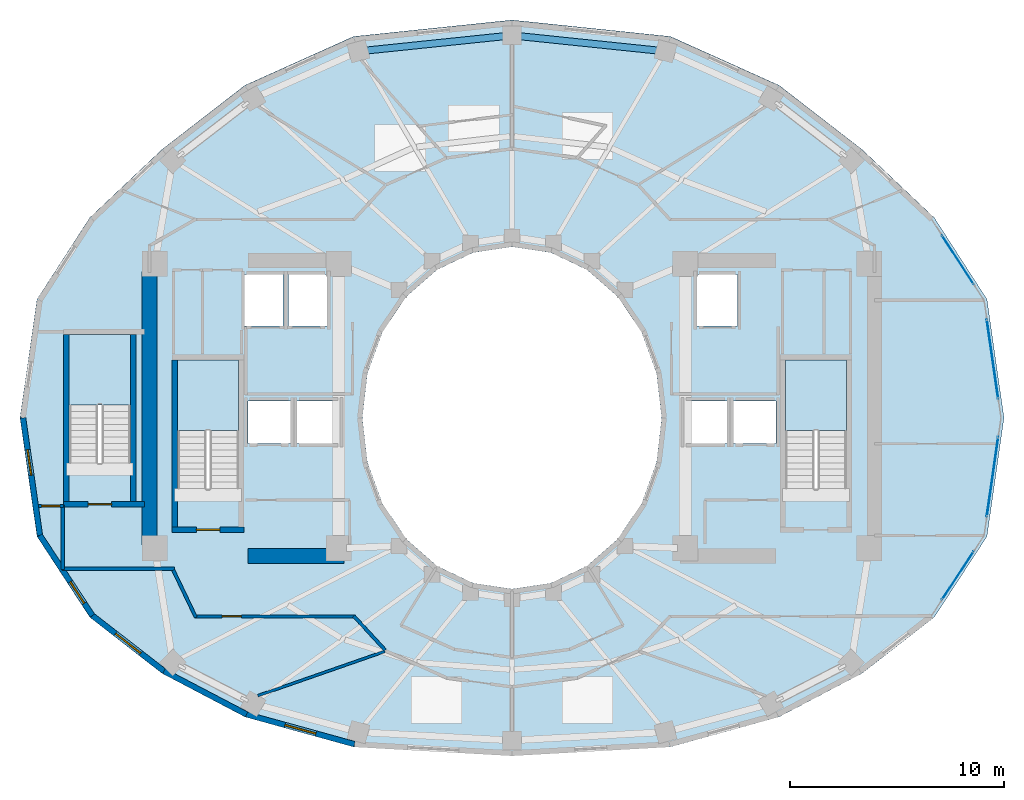
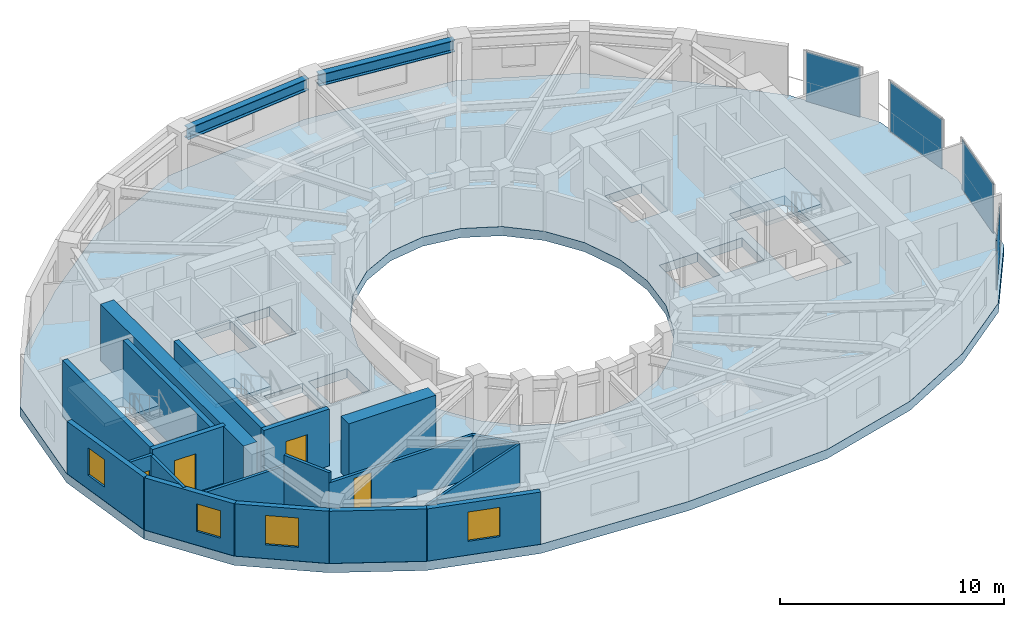
# One storey, part 5 of 13: 19 walls, 4 doors, 4 plates, 4 slabs, 4 windows, 2 beams, 8 openings, 7 elements without a shape of their own.
"""IFC4 building model written with IfcOpenShell, lengths in metres."""

from ifc_helpers import new_model, si_unit, direction, frame, frame_2d, origin, origin_2d, place, context, subcontext, project, spatial, polyline, rectangle, i_section, outline, extrude, material, layer, layer_set, material_profile, profile_set, type_object, element, fill, aggregate, save


model = new_model("IFC4")

# Units and contexts
model_context = context("Model", 3, precision=1e-05, world=origin(), true_north=direction((0.0, 1.0)))
body_context = subcontext(model_context, "Body", "Model", "MODEL_VIEW")
ifc_project = project(units=[si_unit("LENGTHUNIT", "METRE"), si_unit("AREAUNIT", "SQUARE_METRE"), si_unit("VOLUMEUNIT", "CUBIC_METRE"), si_unit("PLANEANGLEUNIT", "RADIAN"), si_unit("MASSUNIT", "GRAM", prefix="KILO")], contexts=[model_context])

# Site, building, storey
site_placement = place(None, origin())
site = spatial("IfcSite", under=ifc_project, at=site_placement, CompositionType="ELEMENT")
building_placement = place(site_placement, origin())
building = spatial("IfcBuilding", under=site, at=building_placement, Name="Solvane Sanctuary Tower", CompositionType="ELEMENT")
storey_placement = place(building_placement, frame((0.0, 0.0, 152.89990234375)))
storey = spatial("IfcBuildingStorey", under=building, at=storey_placement, Name="L46", CompositionType="ELEMENT", Elevation=152.89990234375)

# Beams
ifc_material_1 = material(Name="Steel ASTM A992 Grade 50", Category="steel")
ifc_material_profile = material_profile(ifc_material_1, i_section(OverallWidth=0.327880859375, OverallDepth=0.6279296875, WebThickness=0.0166015625, FlangeThickness=0.027587890625, FilletRadius=0.01611328125, at=origin_2d()), Name="W24X146")
ifc_profile_set = profile_set([ifc_material_profile], Name="Steel ASTM A992 Grade 50")
beam_type = type_object("IfcBeamType", Name="Beam B-SPAND-Z3 W24X146", PredefinedType="SPANDREL", material=ifc_profile_set)
for number, where, z_axis, x_axis, name in (
    (1, (25.10009765625, 40.16357421875, 2.564208984375), (0.994652761118, 0.103275770632, 0.0), (-0.103275770632, 0.994652761118, 0.0), "L46 Perimeter Spandrel Beam TC05-TC04"),
    (2, (32.278564453125, 40.85107421875, 2.564208984375), (0.994652761118, -0.103275770632, 0.0), (0.103275770632, 0.994652761118, 0.0), "L46 Perimeter Spandrel Beam TC04-TC03"),
):
    element("IfcBeam", number, at=place(storey_placement, frame(where, z_axis=z_axis, x_axis=x_axis)), inside=storey, type_object=beam_type, Name=name, PredefinedType="SPANDREL", context=body_context, shape_type="SweptSolid", body=[
        extrude(i_section(OverallWidth=0.327880859375, OverallDepth=0.6279296875, WebThickness=0.0166015625, FlangeThickness=0.027587890625, FilletRadius=0.01611328125, at=origin_2d()), origin(), (0.0, 0.0, 1.0), 6.656982421875),
    ])

# Curtain wall, plate
ifc_material_2 = material(Name="Anodised Aluminium 6063-T6", Category="aluminium")
ifc_layer_1 = layer(ifc_material_2, 0.2099609375, Name="Anodised Aluminium 6063-T6")
ifc_layer_set_1 = layer_set([ifc_layer_1], Name="Anodised Aluminium 6063-T6")
curtain_wall_type = type_object("IfcCurtainWallType", Name="Curtain Wall CW-PORTAL", PredefinedType="NOTDEFINED", material=ifc_layer_set_1)
curtain_wall_1_placement = place(storey_placement, origin())
curtain_wall_1 = element("IfcCurtainWall", 3, at=curtain_wall_1_placement, inside=storey, type_object=curtain_wall_type, Name="L46 CW-PORTAL Facade Run 00", PredefinedType="NOTDEFINED")
ifc_material_3 = material(Name="Dark Ceramic-Fritted Low-E Glass", Category="glass")
ifc_layer_2 = layer(ifc_material_3, 0.031982421875, Name="Dark Ceramic-Fritted Low-E Glass")
ifc_layer_set_2 = layer_set([ifc_layer_2], Name="Dark Ceramic-Fritted Low-E Glass")
plate_type = type_object("IfcPlateType", Name="Plate PN-FRIT-VIS", PredefinedType="CURTAIN_PANEL", material=ifc_layer_set_2)
plate_1_placement = place(storey_placement, frame((54.465087890625, 25.748291015625, 0.065185546875), z_axis=(0.0, 0.0, 1.0), x_axis=(-0.142247806053, 0.989831077342, 0.0)))
plate_1 = element("IfcPlate", 4, at=plate_1_placement, type_object=plate_type, Name="CW-PORTAL panel 1.1", PredefinedType="CURTAIN_PANEL", context=body_context, shape_type="SweptSolid", body=[
    extrude(rectangle(XDim=3.762939453125, YDim=0.031982421875, at=origin_2d()), origin(), (0.0, 0.0, 1.0), 2.7099609375),
])
aggregate(curtain_wall_1, [plate_1])

curtain_wall_2_placement = place(storey_placement, origin())
curtain_wall_2 = element("IfcCurtainWall", 5, at=curtain_wall_2_placement, inside=storey, type_object=curtain_wall_type, Name="L46 CW-PORTAL Facade Run 01", PredefinedType="NOTDEFINED")
plate_2_placement = place(storey_placement, frame((52.8447265625, 30.39013671875, 0.065185546875), z_axis=(0.0, 0.0, 1.0), x_axis=(-0.543340806728, 0.839512220128, 0.0)))
plate_2 = element("IfcPlate", 6, at=plate_2_placement, type_object=plate_type, Name="CW-PORTAL panel 1.1", PredefinedType="CURTAIN_PANEL", context=body_context, shape_type="SweptSolid", body=[
    extrude(rectangle(XDim=2.72119140625, YDim=0.031982421875, at=origin_2d()), origin(), (0.0, 0.0, 1.0), 2.7099609375),
])
aggregate(curtain_wall_2, [plate_2])

curtain_wall_3_placement = place(storey_placement, origin())
curtain_wall_3 = element("IfcCurtainWall", 7, at=curtain_wall_3_placement, inside=storey, type_object=curtain_wall_type, Name="L46 CW-PORTAL Facade Run 22", PredefinedType="NOTDEFINED")
plate_3_placement = place(storey_placement, frame((52.8447265625, 15.630126953125, 0.065185546875), z_axis=(0.0, 0.0, 1.0), x_axis=(0.547432614507, 0.836849767027, 0.0)))
plate_3 = element("IfcPlate", 8, at=plate_3_placement, type_object=plate_type, Name="CW-PORTAL panel 1.1", PredefinedType="CURTAIN_PANEL", context=body_context, shape_type="SweptSolid", body=[
    extrude(rectangle(XDim=2.6875, YDim=0.031982421875, at=origin_2d()), origin(), (0.0, 0.0, 1.0), 2.7099609375),
])
aggregate(curtain_wall_3, [plate_3])

curtain_wall_4_placement = place(storey_placement, origin())
curtain_wall_4 = element("IfcCurtainWall", 9, at=curtain_wall_4_placement, inside=storey, type_object=curtain_wall_type, Name="L46 CW-PORTAL Facade Run 23", PredefinedType="NOTDEFINED")
plate_4_placement = place(storey_placement, frame((54.465087890625, 20.251708984375, 0.065185546875), z_axis=(0.0, 0.0, 1.0), x_axis=(0.142247806053, 0.989831077342, 0.0)))
plate_4 = element("IfcPlate", 10, at=plate_4_placement, type_object=plate_type, Name="CW-PORTAL panel 1.1", PredefinedType="CURTAIN_PANEL", context=body_context, shape_type="SweptSolid", body=[
    extrude(rectangle(XDim=3.762939453125, YDim=0.031982421875, at=origin_2d()), origin(), (0.0, 0.0, 1.0), 2.7099609375),
])
aggregate(curtain_wall_4, [plate_4])

# Stair, slab
ifc_material_4 = material(Name="Concrete C45/55", Category="concrete")
stair_type = type_object("IfcStairType", Name="Stair ST-TOW", PredefinedType="HALF_TURN_STAIR", material=ifc_material_4)
stair_1_placement = place(storey_placement, origin())
stair_1 = element("IfcStair", 11, at=stair_1_placement, inside=storey, type_object=stair_type, Name="L46 Exit Stair ST-1 West Core", PredefinedType="HALF_TURN_STAIR")
ifc_layer_3 = layer(ifc_material_4, 0.199951171875, Name="Concrete C45/55")
ifc_layer_set_3 = layer_set([ifc_layer_3], Name="Concrete C45/55")
slab_type_1 = type_object("IfcSlabType", Name="Slab SL-LAND-180", PredefinedType="LANDING", material=ifc_layer_set_3)
slab_1_placement = place(storey_placement, frame((0.0, 0.0, 1.35009765625)))
slab_1 = element("IfcSlab", 12, at=slab_1_placement, type_object=slab_type_1, Name="ST-1 landing 1", PredefinedType="LANDING", context=body_context, shape_type="SweptSolid", body=[
    extrude(outline(polyline([(19.219970703125, 22.39990234375), (19.219970703125, 25.699951171875), (16.360107421875, 25.699951171875), (16.360107421875, 22.39990234375), (19.219970703125, 22.39990234375)])), origin(), (0.0, 0.0, 1.0), 0.199951171875),
])
aggregate(stair_1, [slab_1])

stair_2_placement = place(storey_placement, origin())
stair_2 = element("IfcStair", 13, at=stair_2_placement, inside=storey, type_object=stair_type, Name="L46 Exit Stair ST-2 East Core", PredefinedType="HALF_TURN_STAIR")
slab_2_placement = place(storey_placement, frame((0.0, 0.0, 1.35009765625)))
slab_2 = element("IfcSlab", 14, at=slab_2_placement, type_object=slab_type_1, Name="ST-2 landing 1", PredefinedType="LANDING", context=body_context, shape_type="SweptSolid", body=[
    extrude(outline(polyline([(47.639892578125, 22.39990234375), (47.639892578125, 25.699951171875), (44.780029296875, 25.699951171875), (44.780029296875, 22.39990234375), (47.639892578125, 22.39990234375)])), origin(), (0.0, 0.0, 1.0), 0.199951171875),
])
aggregate(stair_2, [slab_2])

stair_3_placement = place(storey_placement, origin())
stair_3 = element("IfcStair", 15, at=stair_3_placement, inside=storey, type_object=stair_type, Name="L46 Exit Stair ST-3 Pilgrim Tower Stair", PredefinedType="HALF_TURN_STAIR")
slab_3_placement = place(storey_placement, frame((0.0, 0.0, 1.35009765625)))
slab_3 = element("IfcSlab", 16, at=slab_3_placement, type_object=slab_type_1, Name="ST-3 landing 1", PredefinedType="LANDING", context=body_context, shape_type="SweptSolid", body=[
    extrude(outline(polyline([(14.159912109375, 23.60009765625), (14.159912109375, 26.89990234375), (11.300048828125, 26.89990234375), (11.300048828125, 23.60009765625), (14.159912109375, 23.60009765625)])), origin(), (0.0, 0.0, 1.0), 0.199951171875),
])
aggregate(stair_3, [slab_3])

# Slab
ifc_material_5 = material(Name="Concrete C60/75", Category="concrete")
ifc_layer_4 = layer(ifc_material_5, 0.5, Name="Concrete C60/75")
ifc_layer_set_4 = layer_set([ifc_layer_4], Name="Concrete C60/75")
slab_type_2 = type_object("IfcSlabType", Name="Slab SL-XFER-500", PredefinedType="FLOOR", material=ifc_layer_set_4)
slab_4_placement = place(storey_placement, frame((0.0, 0.0, -0.5)))
element("IfcSlab", 17, at=slab_4_placement, inside=storey, type_object=slab_type_2, Name="L46 Primary Structural Slab", PredefinedType="FLOOR", context=body_context, shape_type="SweptSolid", body=[
    extrude(outline(polyline([(55.0, 23.0), (54.205322265625, 28.54150390625), (51.7392578125, 32.360107421875), (48.368896484375, 35.54345703125), (44.489013671875, 38.5458984375), (39.410400390625, 40.82958984375), (32.0, 41.60009765625), (24.589599609375, 40.82958984375), (19.510986328125, 38.5458984375), (15.631103515625, 35.54345703125), (12.2607421875, 32.360107421875), (9.794677734375, 28.54150390625), (9.0, 23.0), (9.794677734375, 17.45849609375), (12.2607421875, 13.6806640625), (15.631103515625, 11.061279296875), (19.510986328125, 9.022705078125), (24.589599609375, 7.6181640625), (32.0, 7.199951171875), (39.410400390625, 7.6181640625), (44.489013671875, 9.022705078125), (48.368896484375, 11.061279296875), (51.7392578125, 13.6806640625), (54.205322265625, 17.45849609375), (55.0, 23.0)]), holes=[polyline([(38.761474609375, 20.929443359375), (38.062255859375, 19.0), (36.94970703125, 17.343017578125), (35.5, 16.07177734375), (33.811767578125, 15.272705078125), (32.0, 15.0), (30.188232421875, 15.272705078125), (28.5, 16.07177734375), (27.05029296875, 17.343017578125), (25.937744140625, 19.0), (25.238525390625, 20.929443359375), (25.0, 23.0), (25.238525390625, 25.070556640625), (25.937744140625, 27.0), (27.05029296875, 28.656982421875), (28.5, 29.92822265625), (30.188232421875, 30.727294921875), (32.0, 31.0), (33.811767578125, 30.727294921875), (35.5, 29.92822265625), (36.94970703125, 28.656982421875), (38.062255859375, 27.0), (38.761474609375, 25.070556640625), (39.0, 23.0), (38.761474609375, 20.929443359375)]), polyline([(16.360107421875, 19.699951171875), (16.360107421875, 25.699951171875), (19.219970703125, 25.699951171875), (19.219970703125, 19.699951171875), (16.360107421875, 19.699951171875)]), polyline([(44.780029296875, 19.699951171875), (44.780029296875, 25.699951171875), (47.639892578125, 25.699951171875), (47.639892578125, 19.699951171875), (44.780029296875, 19.699951171875)]), polyline([(11.300048828125, 20.89990234375), (11.300048828125, 26.89990234375), (14.159912109375, 26.89990234375), (14.159912109375, 20.89990234375), (11.300048828125, 20.89990234375)]), polyline([(19.64990234375, 23.800048828125), (21.64990234375, 23.800048828125), (21.64990234375, 21.800048828125), (19.64990234375, 21.800048828125), (19.64990234375, 23.800048828125)]), polyline([(42.35009765625, 23.800048828125), (44.35009765625, 23.800048828125), (44.35009765625, 21.800048828125), (42.35009765625, 21.800048828125), (42.35009765625, 23.800048828125)]), polyline([(21.949951171875, 23.800048828125), (23.949951171875, 23.800048828125), (23.949951171875, 21.800048828125), (21.949951171875, 21.800048828125), (21.949951171875, 23.800048828125)]), polyline([(40.050048828125, 23.800048828125), (42.050048828125, 23.800048828125), (42.050048828125, 21.800048828125), (40.050048828125, 21.800048828125), (40.050048828125, 23.800048828125)]), polyline([(19.5, 29.699951171875), (21.300048828125, 29.699951171875), (21.300048828125, 27.300048828125), (19.5, 27.300048828125), (19.5, 29.699951171875)]), polyline([(21.550048828125, 29.699951171875), (23.35009765625, 29.699951171875), (23.35009765625, 27.300048828125), (21.550048828125, 27.300048828125), (21.550048828125, 29.699951171875)]), polyline([(40.64990234375, 29.699951171875), (42.550048828125, 29.699951171875), (42.550048828125, 27.300048828125), (40.64990234375, 27.300048828125), (40.64990234375, 29.699951171875)])]), origin(), (0.0, 0.0, 1.0), 0.5),
])

# Walls
ifc_layer_5 = layer(ifc_material_5, 0.699951171875, Name="Concrete C60/75")
ifc_layer_set_5 = layer_set([ifc_layer_5], Name="Concrete C60/75")
wall_type_1 = type_object("IfcWallType", Name="Wall W-CORE-700", PredefinedType="SHEAR", material=ifc_layer_set_5)
wall_1_placement = place(storey_placement, frame((15.050048828125, 17.050048828125, 0.0), z_axis=(0.0, 0.0, 1.0), x_axis=(0.0, 1.0, 0.0)))
element("IfcWall", 18, at=wall_1_placement, inside=storey, type_object=wall_type_1, Name="L46 Core Shear Wall WC-W", PredefinedType="SHEAR", context=body_context, shape_type="SweptSolid", body=[
    extrude(rectangle(XDim=12.800048828125, YDim=0.699951171875, at=frame_2d((6.39990234375, 0.0))), origin(), (0.0, 0.0, 1.0), 3.10009765625),
])
wall_2_placement = place(storey_placement, frame((19.64990234375, 16.550048828125, 0.0), z_axis=(0.0, 0.0, 1.0), x_axis=(1.0, 0.0, 0.0)))
element("IfcWall", 19, at=wall_2_placement, inside=storey, type_object=wall_type_1, Name="L46 Core Shear Wall WC-S", PredefinedType="SHEAR", context=body_context, shape_type="SweptSolid", body=[
    extrude(rectangle(XDim=4.5, YDim=0.699951171875, at=frame_2d((2.25, 0.0))), origin(), (0.0, 0.0, 1.0), 3.10009765625),
])

# Wall, opening, door
ifc_material_6 = material(Name="Acoustic Gypsum Partition Board")
ifc_layer_6 = layer(ifc_material_6, 0.14990234375, Name="Acoustic Gypsum Partition Board")
ifc_layer_set_6 = layer_set([ifc_layer_6], Name="Acoustic Gypsum Partition Board")
wall_type_2 = type_object("IfcWallType", Name="Wall W-CORR-150", PredefinedType="PARTITIONING", material=ifc_layer_set_6)
wall_3_placement = place(storey_placement, frame((9.869873046875, 18.8798828125, 0.0), z_axis=(0.0, 0.0, 1.0), x_axis=(1.0, 0.0, 0.0)))
wall_3 = element("IfcWall", 20, at=wall_3_placement, inside=storey, type_object=wall_type_2, Name="L46 SW Corner Closer 1", PredefinedType="PARTITIONING", context=body_context, shape_type="SweptSolid", body=[
    extrude(rectangle(XDim=1.170166015625, YDim=0.14990234375, at=frame_2d((0.5849609375, 0.0))), origin(), (0.0, 0.0, 1.0), 2.85498046875),
])
opening_1_placement = place(wall_3_placement, frame((0.139892578125, 0.0, 0.0)))
opening_1 = element("IfcOpeningElement", 21, at=opening_1_placement, cuts=wall_3, Name="Opening D-L46-18", PredefinedType="OPENING", context=body_context, shape_type="SweptSolid", body=[
    extrude(rectangle(XDim=0.85009765625, YDim=2.050048828125, at=frame_2d((0.425048828125, 1.02490234375))), frame((0.0, 0.0849609375, 0.0), z_axis=(0.0, -1.0, 0.0), x_axis=(1.0, 0.0, 0.0)), (0.0, 0.0, 1.0), 0.169921875),
])
ifc_material_7 = material(Name="Architectural Stainless Steel 316", Category="steel")
door_type_1 = type_object("IfcDoorType", Name="Door D-RISER", OperationType="NOTDEFINED", PredefinedType="DOOR", material=ifc_material_7)
door_1_placement = place(opening_1_placement, origin())
door_1 = element("IfcDoor", 22, at=door_1_placement, inside=storey, type_object=door_type_1, Name="L46 West Lookout Study Door", OperationType="SINGLE_SWING_RIGHT", OverallHeight=2.050048828125, OverallWidth=0.85009765625, PredefinedType="DOOR", context=body_context, shape_type="SweptSolid", body=[
    extrude(rectangle(XDim=0.85009765625, YDim=2.050048828125, at=frame_2d((0.425048828125, 1.02490234375))), frame((0.0, 0.02490234375, 0.0), z_axis=(0.0, -1.0, 0.0), x_axis=(1.0, 0.0, 0.0)), (0.0, 0.0, 1.0), 0.050048828125),
])
fill(opening_1, door_1)

# Walls
wall_4_placement = place(storey_placement, frame((11.0, 15.909912109375, 0.0), z_axis=(0.0, 0.0, 1.0), x_axis=(0.0, 1.0, 0.0)))
element("IfcWall", 23, at=wall_4_placement, inside=storey, type_object=wall_type_2, Name="L46 SW Corner Closer 2", PredefinedType="PARTITIONING", context=body_context, shape_type="SweptSolid", body=[
    extrude(rectangle(XDim=3.010009765625, YDim=0.14990234375, at=frame_2d((1.5048828125, 0.0))), origin(), (0.0, 0.0, 1.0), 2.85498046875),
])
wall_5_placement = place(storey_placement, frame((10.9599609375, 15.949951171875, 0.0), z_axis=(0.0, 0.0, 1.0), x_axis=(1.0, 0.0, 0.0)))
element("IfcWall", 24, at=wall_5_placement, inside=storey, type_object=wall_type_2, Name="L46 SW Corner Closer 3", PredefinedType="PARTITIONING", context=body_context, shape_type="SweptSolid", body=[
    extrude(rectangle(XDim=5.260009765625, YDim=0.14990234375, at=frame_2d((2.6298828125, 0.0))), origin(), (0.0, 0.0, 1.0), 2.22021484375),
])
wall_6_placement = place(storey_placement, frame((26.07177734375, 12.144287109375, 0.0), z_axis=(0.0, 0.0, 1.0), x_axis=(-0.677579737957, 0.735449317567, 0.0)))
element("IfcWall", 25, at=wall_6_placement, inside=storey, type_object=wall_type_2, Name="L46 SW Corner Throat Wall", PredefinedType="PARTITIONING", context=body_context, shape_type="SweptSolid", body=[
    extrude(rectangle(XDim=2.172607421875, YDim=0.14990234375, at=frame_2d((1.08642578125, 0.0))), origin(), (0.0, 0.0, 1.0), 2.299072265625),
])

# Wall, opening, door
wall_7_placement = place(storey_placement, frame((17.14990234375, 13.719970703125, 0.0), z_axis=(0.0, 0.0, 1.0), x_axis=(1.0, 0.0, 0.0)))
wall_7 = element("IfcWall", 26, at=wall_7_placement, inside=storey, type_object=wall_type_2, Name="L46 SW Corner Corridor Wall", PredefinedType="PARTITIONING", context=body_context, shape_type="SweptSolid", body=[
    extrude(rectangle(XDim=7.52001953125, YDim=0.14990234375, at=frame_2d((3.760009765625, 0.0))), origin(), (0.0, 0.0, 1.0), 2.299072265625),
])
opening_2_placement = place(wall_7_placement, frame((1.300048828125, 0.0, 0.0)))
opening_2 = element("IfcOpeningElement", 27, at=opening_2_placement, cuts=wall_7, Name="Opening D-L46-19", PredefinedType="OPENING", context=body_context, shape_type="SweptSolid", body=[
    extrude(rectangle(XDim=0.89990234375, YDim=2.10009765625, at=frame_2d((0.449951171875, 1.050048828125))), frame((0.0, 0.0849609375, 0.0), z_axis=(0.0, -1.0, 0.0), x_axis=(1.0, 0.0, 0.0)), (0.0, 0.0, 1.0), 0.169921875),
])
ifc_material_8 = material(Name="Engineered Tropical Hardwood", Category="wood")
door_type_2 = type_object("IfcDoorType", Name="Door D-WET-900", OperationType="NOTDEFINED", PredefinedType="DOOR", material=ifc_material_8)
door_2_placement = place(opening_2_placement, origin())
door_2 = element("IfcDoor", 28, at=door_2_placement, inside=storey, type_object=door_type_2, Name="L46 SW Corner Salon Door", OperationType="SINGLE_SWING_LEFT", OverallHeight=2.10009765625, OverallWidth=0.89990234375, PredefinedType="DOOR", context=body_context, shape_type="SweptSolid", body=[
    extrude(rectangle(XDim=0.89990234375, YDim=2.10009765625, at=frame_2d((0.449951171875, 1.050048828125))), frame((0.0, 0.02490234375, 0.0), z_axis=(0.0, -1.0, 0.0), x_axis=(1.0, 0.0, 0.0)), (0.0, 0.0, 1.0), 0.050048828125),
])
fill(opening_2, door_2)

# Wall
wall_8_placement = place(storey_placement, frame((17.2216796875, 13.6748046875, 0.0), z_axis=(0.0, 0.0, 1.0), x_axis=(-0.431973389813, 0.901886351207, 0.0)))
element("IfcWall", 29, at=wall_8_placement, inside=storey, type_object=wall_type_2, Name="L46 SW Corner Wing Wall", PredefinedType="PARTITIONING", context=body_context, shape_type="SweptSolid", body=[
    extrude(rectangle(XDim=2.45166015625, YDim=0.14990234375, at=frame_2d((1.225830078125, 0.0))), origin(), (0.0, 0.0, 1.0), 2.85498046875),
])

# Wall, opening, window
ifc_material_9 = material(Name="Precast concrete C40/50", Category="concrete")
ifc_layer_7 = layer(ifc_material_9, 0.260009765625, Name="Precast concrete C40/50")
ifc_layer_set_7 = layer_set([ifc_layer_7], Name="Precast concrete C40/50")
wall_type_3 = type_object("IfcWallType", Name="Wall W-EXT-250", PredefinedType="STANDARD", material=ifc_layer_set_7)
wall_9_placement = place(storey_placement, frame((9.139892578125, 23.0, 0.0), z_axis=(0.0, 0.0, 1.0), x_axis=(0.142227632286, -0.989833976288, 0.0)))
wall_9 = element("IfcWall", 30, at=wall_9_placement, inside=storey, type_object=wall_type_3, Name="L46 Ceramic-Printed Facade Wall 12", PredefinedType="STANDARD", context=body_context, shape_type="SweptSolid", body=[
    extrude(rectangle(XDim=5.552978515625, YDim=0.260009765625, at=frame_2d((2.7763671875, 0.0))), origin(), (0.0, 0.0, 1.0), 2.85009765625),
])
opening_3_placement = place(wall_9_placement, frame((1.506103515625, 0.0, 0.75)))
opening_3 = element("IfcOpeningElement", 31, at=opening_3_placement, cuts=wall_9, Name="Opening WN-OPER-1200", PredefinedType="OPENING", context=body_context, shape_type="SweptSolid", body=[
    extrude(rectangle(XDim=1.199951171875, YDim=1.5, at=frame_2d((0.60009765625, 0.75))), frame((0.0, 0.139892578125, 0.0), z_axis=(0.0, -1.0, 0.0), x_axis=(1.0, 0.0, 0.0)), (0.0, 0.0, 1.0), 0.280029296875),
])
window_type_1 = type_object("IfcWindowType", Name="Window WN-OPER-1200", PartitioningType="SINGLE_PANEL", PredefinedType="WINDOW", material=ifc_material_3)
window_1_placement = place(opening_3_placement, origin())
window_1 = element("IfcWindow", 32, at=window_1_placement, inside=storey, type_object=window_type_1, Name="L46 Operable Facade Window 12", OverallHeight=1.5, OverallWidth=1.199951171875, PartitioningType="SINGLE_PANEL", PredefinedType="WINDOW", context=body_context, shape_type="SweptSolid", body=[
    extrude(rectangle(XDim=1.199951171875, YDim=1.5, at=frame_2d((0.60009765625, 0.75))), frame((0.0, 0.030029296875, 0.0), z_axis=(0.0, -1.0, 0.0), x_axis=(1.0, 0.0, 0.0)), (0.0, 0.0, 1.0), 0.06005859375),
])
fill(opening_3, window_1)

wall_10_placement = place(storey_placement, frame((9.9296875, 17.50341796875, 0.0), z_axis=(0.0, 0.0, 1.0), x_axis=(0.547456494366, -0.836834145322, 0.0)))
wall_10 = element("IfcWall", 33, at=wall_10_placement, inside=storey, type_object=wall_type_3, Name="L46 Ceramic-Printed Facade Wall 13", PredefinedType="STANDARD", context=body_context, shape_type="SweptSolid", body=[
    extrude(rectangle(XDim=4.477294921875, YDim=0.260009765625, at=frame_2d((2.23876953125, 0.0))), origin(), (0.0, 0.0, 1.0), 2.85009765625),
])
opening_4_placement = place(wall_10_placement, frame((2.59130859375, 0.0, 0.75)))
opening_4 = element("IfcOpeningElement", 34, at=opening_4_placement, cuts=wall_10, Name="Opening WN-OPER-1200", PredefinedType="OPENING", context=body_context, shape_type="SweptSolid", body=[
    extrude(rectangle(XDim=1.199951171875, YDim=1.5, at=frame_2d((0.60009765625, 0.75))), frame((0.0, 0.139892578125, 0.0), z_axis=(0.0, -1.0, 0.0), x_axis=(1.0, 0.0, 0.0)), (0.0, 0.0, 1.0), 0.280029296875),
])
window_2_placement = place(opening_4_placement, origin())
window_2 = element("IfcWindow", 35, at=window_2_placement, inside=storey, type_object=window_type_1, Name="L46 Operable Facade Window 13", OverallHeight=1.5, OverallWidth=1.199951171875, PartitioningType="SINGLE_PANEL", PredefinedType="WINDOW", context=body_context, shape_type="SweptSolid", body=[
    extrude(rectangle(XDim=1.199951171875, YDim=1.5, at=frame_2d((0.60009765625, 0.75))), frame((0.0, 0.030029296875, 0.0), z_axis=(0.0, -1.0, 0.0), x_axis=(1.0, 0.0, 0.0)), (0.0, 0.0, 1.0), 0.06005859375),
])
fill(opening_4, window_2)

wall_11_placement = place(storey_placement, frame((12.380859375, 13.756591796875, 0.0), z_axis=(0.0, 0.0, 1.0), x_axis=(0.790185650662, -0.612867552973, 0.0)))
wall_11 = element("IfcWall", 36, at=wall_11_placement, inside=storey, type_object=wall_type_3, Name="L46 Ceramic-Printed Facade Wall 14", PredefinedType="STANDARD", context=body_context, shape_type="SweptSolid", body=[
    extrude(rectangle(XDim=4.2392578125, YDim=0.260009765625, at=frame_2d((2.11962890625, 0.0))), origin(), (0.0, 0.0, 1.0), 2.85009765625),
])
opening_5_placement = place(wall_11_placement, frame((1.36962890625, 0.0, 0.75)))
opening_5 = element("IfcOpeningElement", 37, at=opening_5_placement, cuts=wall_11, Name="Opening WN-OPER-1500", PredefinedType="OPENING", context=body_context, shape_type="SweptSolid", body=[
    extrude(rectangle(XDim=1.5, YDim=1.60009765625, at=frame_2d((0.75, 0.800048828125))), frame((0.0, 0.139892578125, 0.0), z_axis=(0.0, -1.0, 0.0), x_axis=(1.0, 0.0, 0.0)), (0.0, 0.0, 1.0), 0.280029296875),
])
window_type_2 = type_object("IfcWindowType", Name="Window WN-OPER-1500", PartitioningType="SINGLE_PANEL", PredefinedType="WINDOW", material=ifc_material_3)
window_3_placement = place(opening_5_placement, origin())
window_3 = element("IfcWindow", 38, at=window_3_placement, inside=storey, type_object=window_type_2, Name="L46 Operable Facade Window 14", OverallHeight=1.60009765625, OverallWidth=1.5, PartitioningType="SINGLE_PANEL", PredefinedType="WINDOW", context=body_context, shape_type="SweptSolid", body=[
    extrude(rectangle(XDim=1.5, YDim=1.60009765625, at=frame_2d((0.75, 0.800048828125))), frame((0.0, 0.030029296875, 0.0), z_axis=(0.0, -1.0, 0.0), x_axis=(1.0, 0.0, 0.0)), (0.0, 0.0, 1.0), 0.06005859375),
])
fill(opening_5, window_3)

# Wall
wall_12_placement = place(storey_placement, frame((15.730712890625, 11.158447265625, 0.0), z_axis=(0.0, 0.0, 1.0), x_axis=(0.885660265226, -0.464333818065, 0.0)))
element("IfcWall", 39, at=wall_12_placement, inside=storey, type_object=wall_type_3, Name="L46 Ceramic-Printed Facade Wall 15", PredefinedType="STANDARD", context=body_context, shape_type="SweptSolid", body=[
    extrude(rectangle(XDim=4.35400390625, YDim=0.260009765625, at=frame_2d((2.177001953125, 0.0))), origin(), (0.0, 0.0, 1.0), 2.85009765625),
])

# Wall, opening, window
wall_13_placement = place(storey_placement, frame((19.5869140625, 9.13671875, 0.0), z_axis=(0.0, 0.0, 1.0), x_axis=(0.963953455704, -0.26607092144, 0.0)))
wall_13 = element("IfcWall", 40, at=wall_13_placement, inside=storey, type_object=wall_type_3, Name="L46 Ceramic-Printed Facade Wall 16", PredefinedType="STANDARD", context=body_context, shape_type="SweptSolid", body=[
    extrude(rectangle(XDim=5.236572265625, YDim=0.260009765625, at=frame_2d((2.6181640625, 0.0))), origin(), (0.0, 0.0, 1.0), 2.85009765625),
])
opening_6_placement = place(wall_13_placement, frame((1.868408203125, 0.0, 0.75)))
opening_6 = element("IfcOpeningElement", 41, at=opening_6_placement, cuts=wall_13, Name="Opening WN-OPER-1500", PredefinedType="OPENING", context=body_context, shape_type="SweptSolid", body=[
    extrude(rectangle(XDim=1.5, YDim=1.60009765625, at=frame_2d((0.75, 0.800048828125))), frame((0.0, 0.139892578125, 0.0), z_axis=(0.0, -1.0, 0.0), x_axis=(1.0, 0.0, 0.0)), (0.0, 0.0, 1.0), 0.280029296875),
])
window_4_placement = place(opening_6_placement, origin())
window_4 = element("IfcWindow", 42, at=window_4_placement, inside=storey, type_object=window_type_2, Name="L46 Operable Facade Window 16", OverallHeight=1.60009765625, OverallWidth=1.5, PartitioningType="SINGLE_PANEL", PredefinedType="WINDOW", context=body_context, shape_type="SweptSolid", body=[
    extrude(rectangle(XDim=1.5, YDim=1.60009765625, at=frame_2d((0.75, 0.800048828125))), frame((0.0, 0.030029296875, 0.0), z_axis=(0.0, -1.0, 0.0), x_axis=(1.0, 0.0, 0.0)), (0.0, 0.0, 1.0), 0.06005859375),
])
fill(opening_6, window_4)

# Wall
ifc_layer_8 = layer(ifc_material_6, 0.125, Name="Acoustic Gypsum Partition Board")
ifc_layer_set_8 = layer_set([ifc_layer_8], Name="Acoustic Gypsum Partition Board")
wall_type_4 = type_object("IfcWallType", Name="Wall W-PART-125", PredefinedType="PARTITIONING", material=ifc_layer_set_8)
wall_14_placement = place(storey_placement, frame((26.05712890625, 12.085693359375, 0.0), z_axis=(0.0, 0.0, 1.0), x_axis=(-0.944182779284, -0.329422038278, 0.0)))
element("IfcWall", 43, at=wall_14_placement, inside=storey, type_object=wall_type_4, Name="L46 Radial Compartment Wall 240", PredefinedType="PARTITIONING", context=body_context, shape_type="SweptSolid", body=[
    extrude(rectangle(XDim=6.291259765625, YDim=0.125, at=frame_2d((3.1455078125, 0.0))), origin(), (0.0, 0.0, 1.0), 2.299072265625),
])

# Wall, opening, door
ifc_material_10 = material(Name="Concrete C50/60", Category="concrete")
ifc_layer_9 = layer(ifc_material_10, 0.25, Name="Concrete C50/60")
ifc_layer_set_9 = layer_set([ifc_layer_9], Name="Concrete C50/60")
wall_type_5 = type_object("IfcWallType", Name="Wall W-SHAFT-250", PredefinedType="SOLIDWALL", material=ifc_layer_set_9)
wall_15_placement = place(storey_placement, frame((16.10498046875, 17.77001953125, 0.0), z_axis=(0.0, 0.0, 1.0), x_axis=(1.0, 0.0, 0.0)))
wall_15 = element("IfcWall", 44, at=wall_15_placement, inside=storey, type_object=wall_type_5, Name="L46 ST-1 Load-Bearing Shaft Wall S", PredefinedType="SOLIDWALL", context=body_context, shape_type="SweptSolid", body=[
    extrude(rectangle(XDim=3.3701171875, YDim=0.25, at=frame_2d((1.68505859375, 0.0))), origin(), (0.0, 0.0, 1.0), 3.10009765625),
])
opening_7_placement = place(wall_15_placement, frame((1.135009765625, 0.0, 0.0)))
opening_7 = element("IfcOpeningElement", 45, at=opening_7_placement, cuts=wall_15, Name="Opening D-L46-01", PredefinedType="OPENING", context=body_context, shape_type="SweptSolid", body=[
    extrude(rectangle(XDim=1.10009765625, YDim=2.10009765625, at=frame_2d((0.550048828125, 1.050048828125))), frame((0.0, 0.135009765625, 0.0), z_axis=(0.0, -1.0, 0.0), x_axis=(1.0, 0.0, 0.0)), (0.0, 0.0, 1.0), 0.27001953125),
])
door_type_3 = type_object("IfcDoorType", Name="Door D-STAIR", OperationType="NOTDEFINED", PredefinedType="DOOR", material=ifc_material_7)
door_3_placement = place(opening_7_placement, origin())
door_3 = element("IfcDoor", 46, at=door_3_placement, inside=storey, type_object=door_type_3, Name="L46 ST-1 Exit Stair Fire Door", OperationType="SINGLE_SWING_RIGHT", OverallHeight=2.10009765625, OverallWidth=1.10009765625, PredefinedType="DOOR", context=body_context, shape_type="SweptSolid", body=[
    extrude(rectangle(XDim=1.10009765625, YDim=2.10009765625, at=frame_2d((0.550048828125, 1.050048828125))), frame((0.0, 0.02490234375, 0.0), z_axis=(0.0, -1.0, 0.0), x_axis=(1.0, 0.0, 0.0)), (0.0, 0.0, 1.0), 0.050048828125),
])
fill(opening_7, door_3)

# Wall
wall_16_placement = place(storey_placement, frame((16.22998046875, 17.89501953125, 0.0), z_axis=(0.0, 0.0, 1.0), x_axis=(0.0, 1.0, 0.0)))
element("IfcWall", 47, at=wall_16_placement, inside=storey, type_object=wall_type_5, Name="L46 ST-1 Load-Bearing Shaft Wall W", PredefinedType="SOLIDWALL", context=body_context, shape_type="SweptSolid", body=[
    extrude(rectangle(XDim=7.81005859375, YDim=0.25, at=frame_2d((3.905029296875, 0.0))), origin(), (0.0, 0.0, 1.0), 3.10009765625),
])

# Wall, opening, door
wall_17_placement = place(storey_placement, frame((11.044921875, 18.969970703125, 0.0), z_axis=(0.0, 0.0, 1.0), x_axis=(1.0, 0.0, 0.0)))
wall_17 = element("IfcWall", 48, at=wall_17_placement, inside=storey, type_object=wall_type_5, Name="L46 ST-3 Load-Bearing Shaft Wall S", PredefinedType="SOLIDWALL", context=body_context, shape_type="SweptSolid", body=[
    extrude(rectangle(XDim=3.781982421875, YDim=0.25, at=frame_2d((1.89111328125, 0.0))), origin(), (0.0, 0.0, 1.0), 3.10009765625),
])
opening_8_placement = place(wall_17_placement, frame((1.135009765625, 0.0, 0.0)))
opening_8 = element("IfcOpeningElement", 49, at=opening_8_placement, cuts=wall_17, Name="Opening D-L46-03", PredefinedType="OPENING", context=body_context, shape_type="SweptSolid", body=[
    extrude(rectangle(XDim=1.10009765625, YDim=2.10009765625, at=frame_2d((0.550048828125, 1.050048828125))), frame((0.0, 0.135009765625, 0.0), z_axis=(0.0, -1.0, 0.0), x_axis=(1.0, 0.0, 0.0)), (0.0, 0.0, 1.0), 0.27001953125),
])
door_4_placement = place(opening_8_placement, origin())
door_4 = element("IfcDoor", 50, at=door_4_placement, inside=storey, type_object=door_type_3, Name="L46 ST-3 Exit Stair Fire Door", OperationType="SINGLE_SWING_RIGHT", OverallHeight=2.10009765625, OverallWidth=1.10009765625, PredefinedType="DOOR", context=body_context, shape_type="SweptSolid", body=[
    extrude(rectangle(XDim=1.10009765625, YDim=2.10009765625, at=frame_2d((0.550048828125, 1.050048828125))), frame((0.0, 0.02490234375, 0.0), z_axis=(0.0, -1.0, 0.0), x_axis=(1.0, 0.0, 0.0)), (0.0, 0.0, 1.0), 0.050048828125),
])
fill(opening_8, door_4)

# Walls
for number, where, z_axis, x_axis, name in (
    (51, (11.169921875, 19.094970703125, 0.0), (0.0, 0.0, 1.0), (0.0, 1.0, 0.0), "L46 ST-3 Load-Bearing Shaft Wall W"),
    (52, (14.2900390625, 19.094970703125, 0.0), (0.0, 0.0, 1.0), (0.0, 1.0, 0.0), "L46 ST-3 Load-Bearing Shaft Wall E"),
):
    element("IfcWall", number, at=place(storey_placement, frame(where, z_axis=z_axis, x_axis=x_axis)), inside=storey, type_object=wall_type_5, Name=name, PredefinedType="SOLIDWALL", context=body_context, shape_type="SweptSolid", body=[
        extrude(rectangle(XDim=7.81005859375, YDim=0.25, at=frame_2d((3.905029296875, 0.0))), origin(), (0.0, 0.0, 1.0), 3.10009765625),
    ])

save(model, "model.ifc")
